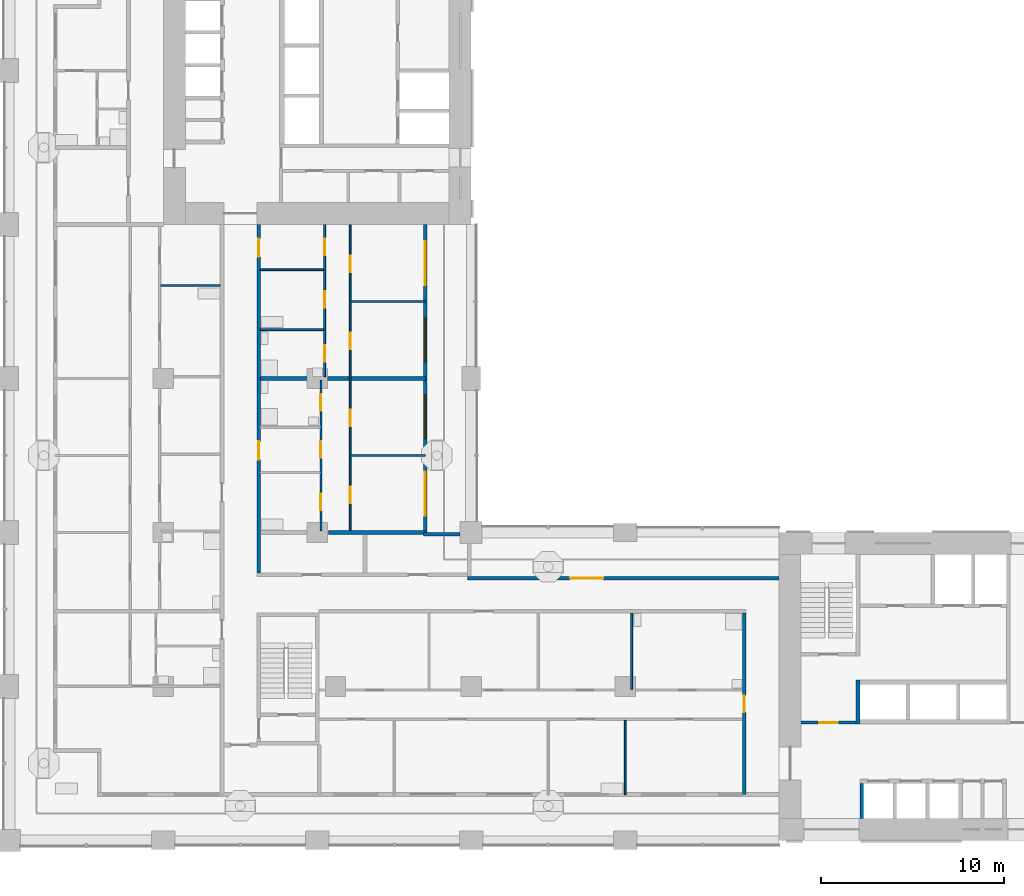
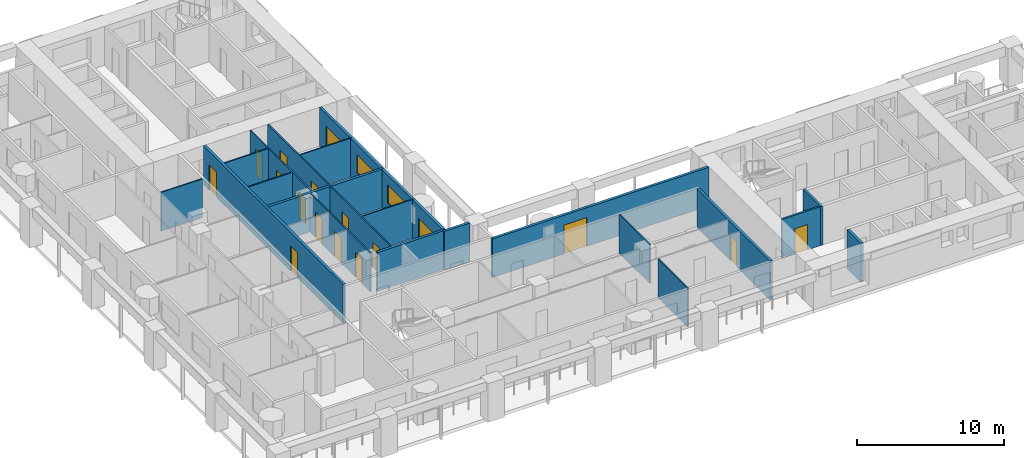
# One storey, part 4 of 18: 20 walls, 17 doors, 2 windows, 19 openings.
"""IFC4 building model written with IfcOpenShell, lengths in metres."""

import ifcopenshell
import ifcopenshell.guid

model = None  # the IFC model being written
_history = None  # IfcOwnerHistory: only IFC2X3 demands one
_inside = {}  # id of a spatial element -> (the spatial element, [elements in it])
_under = {}  # id of a project, library or spatial element -> (it, [spatial elements below it])
_declared = {}  # id of a project -> (the project, [libraries it declares])
_typed = {}  # id of a type object -> (the type object, [elements of that type])
_made_of = {}  # id of a material, layer set ... -> (it, [elements and type objects made of it])


def new_model(schema):
    """Start an empty IFC model of exactly this schema.

    Asked for "IFC4X3", IfcOpenShell would pick the latest addendum, in which some entities
    have other attributes; the version numbers below select the first issue.
    IFC2X3 requires an IfcOwnerHistory on every rooted entity: one is made here for all.
    """
    global model, _history
    if schema == "IFC4X3":
        model = ifcopenshell.file(schema_version=(4, 3, 0, 0))
    else:
        model = ifcopenshell.file(schema=schema)
    _inside.clear()
    _under.clear()
    _declared.clear()
    _typed.clear()
    _made_of.clear()
    _history = None
    if model.schema == "IFC2X3":
        org = make("IfcOrganization", Name="unknown")
        user = make(
            "IfcPersonAndOrganization",
            ThePerson=make("IfcPerson", FamilyName="unknown"),
            TheOrganization=org,
        )
        app = make(
            "IfcApplication",
            ApplicationDeveloper=org,
            Version="unknown",
            ApplicationFullName="unknown",
            ApplicationIdentifier="unknown",
        )
        _history = make(
            "IfcOwnerHistory",
            OwningUser=user,
            OwningApplication=app,
            ChangeAction="ADDED",
            CreationDate=0,
        )
    return model


def make(cls, **values):
    """One entity of the class cls with the attributes given. An attribute that is None is left unset."""
    return model.create_entity(
        cls, **{name: value for name, value in values.items() if value is not None}
    )


def rooted(cls, **values):
    """An entity with a GlobalId (a new one), such as an element, a storey or a relation."""
    return make(cls, GlobalId=ifcopenshell.guid.new(), OwnerHistory=_history, **values)


def si_unit(unit_type, name, prefix=None):
    """IfcSIUnit, for example si_unit("LENGTHUNIT", "METRE", prefix="MILLI")."""
    return make("IfcSIUnit", UnitType=unit_type, Prefix=prefix, Name=name)


def assignment(units):
    """IfcUnitAssignment: the units of a project."""
    return None if units is None else make("IfcUnitAssignment", Units=units)


def point(xyz):
    """IfcCartesianPoint."""
    return None if xyz is None else make("IfcCartesianPoint", Coordinates=xyz)


def direction(xyz):
    """IfcDirection."""
    return None if xyz is None else make("IfcDirection", DirectionRatios=xyz)


def frame(location, z_axis=None, x_axis=None):
    """IfcAxis2Placement3D, a coordinate frame: its origin and axes. An axis left out is left unset."""
    return make(
        "IfcAxis2Placement3D",
        Location=point(location),
        Axis=direction(z_axis),
        RefDirection=direction(x_axis),
    )


def frame_2d(location, x_axis=None):
    """IfcAxis2Placement2D, a coordinate frame in the plane: its origin and x axis."""
    return make(
        "IfcAxis2Placement2D", Location=point(location), RefDirection=direction(x_axis)
    )


def origin():
    """The frame at (0, 0, 0) with its axes left unset."""
    return frame((0.0, 0.0, 0.0))


def place(relative_to, where):
    """IfcLocalPlacement: puts the frame where relative to a parent placement (None: the world)."""
    return make(
        "IfcLocalPlacement", PlacementRelTo=relative_to, RelativePlacement=where
    )


def context(
    kind, dimensions, precision=None, world=None, true_north=None, identifier=None
):
    """IfcGeometricRepresentationContext, for example the 3D "Model" context."""
    return make(
        "IfcGeometricRepresentationContext",
        ContextIdentifier=identifier,
        ContextType=kind,
        CoordinateSpaceDimension=dimensions,
        Precision=precision,
        WorldCoordinateSystem=world,
        TrueNorth=true_north,
    )


def subcontext(parent, identifier, kind, view, scale=None):
    """IfcGeometricRepresentationSubContext, for example "Body" below "Model"."""
    return make(
        "IfcGeometricRepresentationSubContext",
        ContextIdentifier=identifier,
        ContextType=kind,
        ParentContext=parent,
        TargetScale=scale,
        TargetView=view,
    )


def project(units=None, contexts=None):
    """IfcProject with its units and contexts."""
    return rooted(
        "IfcProject",
        Name="project",
        RepresentationContexts=contexts,
        UnitsInContext=assignment(units),
    )


def spatial(cls, under=None, at=None, **own):
    """A site, building, storey or space (cls), placed at a placement, below another one or the project."""
    s = rooted(cls, ObjectPlacement=at, **own)
    if under is not None:
        _under.setdefault(under.id(), (under, []))[1].append(s)
    return s


def profile(cls, at=None, kind="AREA", **sizes):
    """A parametric profile (cls). Its sizes go by their IFC names, for example OverallWidth=200.0."""
    return make(cls, ProfileType=kind, Position=at, **sizes)


def rectangle(**sizes):
    """IfcRectangleProfileDef."""
    return profile("IfcRectangleProfileDef", **sizes)


def extrude(swept, where, along, depth):
    """IfcExtrudedAreaSolid: the profile swept, set in the frame where, extruded along a direction by depth."""
    return make(
        "IfcExtrudedAreaSolid",
        SweptArea=swept,
        Position=where,
        ExtrudedDirection=direction(along),
        Depth=depth,
    )


def shape(context_of_items, identifier, shape_type, items):
    """IfcShapeRepresentation: the items that make up one representation, for example the "Body"."""
    return make(
        "IfcShapeRepresentation",
        ContextOfItems=context_of_items,
        RepresentationIdentifier=identifier,
        RepresentationType=shape_type,
        Items=items,
    )


def material(Name=None, Category=None):
    """IfcMaterial."""
    return make("IfcMaterial", Name=Name, Category=Category)


def layer(
    of_material, thickness, ventilated=None, Name=None, Category=None, Priority=None
):
    """IfcMaterialLayer: one layer of a wall or slab, of a material (None: an air gap)."""
    return make(
        "IfcMaterialLayer",
        Material=of_material,
        LayerThickness=thickness,
        IsVentilated=ventilated,
        Name=Name,
        Category=Category,
        Priority=Priority,
    )


def layer_set(layers, Name=None):
    """IfcMaterialLayerSet."""
    return make("IfcMaterialLayerSet", MaterialLayers=layers, LayerSetName=Name)


def made_of(thing, what):
    """Note that an element or type object is made of a material, layer set ...; save() writes the relation."""
    if what is not None:
        _made_of.setdefault(what.id(), (what, []))[1].append(thing)
    return thing


def type_object(cls, material=None, **own):
    """A type object (cls), such as IfcWallType, which elements share."""
    return made_of(rooted(cls, **own), material)


def element(
    cls,
    number,
    at=None,
    inside=None,
    cuts=None,
    type_object=None,
    material=None,
    context=None,
    identifier="Body",
    shape_type=None,
    held_by="IfcProductDefinitionShape",
    body=None,
    shapes=None,
    **own,
):
    """One element of the class cls, such as IfcWall. Its Tag is "e" and its number.

    at: its placement. inside: the storey or other place that contains it. cuts: it is an
    opening in that element (IfcRelVoidsElement). A single representation is given by context,
    identifier, shape_type and body (its items); several are given by shapes. held_by: the class
    of the entity that holds the representations. save() writes the other relations.
    """
    e = rooted(cls, Tag="e%d" % number, ObjectPlacement=at, **own)
    if body is not None:
        shapes = [shape(context, identifier, shape_type, body)]
    if shapes is not None:
        e.Representation = make(held_by, Representations=shapes)
    if inside is not None:
        _inside.setdefault(inside.id(), (inside, []))[1].append(e)
    if cuts is not None:
        rooted(
            "IfcRelVoidsElement", RelatingBuildingElement=cuts, RelatedOpeningElement=e
        )
    if type_object is not None:
        _typed.setdefault(type_object.id(), (type_object, []))[1].append(e)
    return made_of(e, material)


def fill(opening, filler):
    """IfcRelFillsElement: the door or window that sits in an opening."""
    return rooted(
        "IfcRelFillsElement",
        RelatingOpeningElement=opening,
        RelatedBuildingElement=filler,
    )


def aggregate(whole, parts):
    """IfcRelAggregates: a whole, such as a stair, and the parts it consists of."""
    return rooted("IfcRelAggregates", RelatingObject=whole, RelatedObjects=parts)


def save(model, path):
    """Write the relations noted so far, then the file.

    IfcRelAggregates (storeys below a building ...), IfcRelContainedInSpatialStructure (elements
    in a storey), IfcRelDefinesByType, IfcRelAssociatesMaterial and IfcRelDeclares: one each for
    every whole, place, type object, material and project.
    """
    for whole, parts in _under.values():
        aggregate(whole, parts)
    for where, things in _inside.values():
        rooted(
            "IfcRelContainedInSpatialStructure",
            RelatedElements=things,
            RelatingStructure=where,
        )
    for kind, things in _typed.values():
        rooted("IfcRelDefinesByType", RelatedObjects=things, RelatingType=kind)
    for what, things in _made_of.values():
        rooted("IfcRelAssociatesMaterial", RelatedObjects=things, RelatingMaterial=what)
    for by, libraries in _declared.values():
        rooted("IfcRelDeclares", RelatingContext=by, RelatedDefinitions=libraries)
    model.write(path)


model = new_model("IFC4")

# Units and contexts
model_context = context("Model", 3, precision=1e-05, world=origin(), true_north=direction((0.0, 1.0)))
body_context = subcontext(model_context, "Body", "Model", "MODEL_VIEW")
ifc_project = project(units=[si_unit("LENGTHUNIT", "METRE"), si_unit("AREAUNIT", "SQUARE_METRE"), si_unit("VOLUMEUNIT", "CUBIC_METRE"), si_unit("PLANEANGLEUNIT", "RADIAN"), si_unit("MASSUNIT", "GRAM", prefix="KILO")], contexts=[model_context])

# Site, building, storey
site_placement = place(None, origin())
site = spatial("IfcSite", under=ifc_project, at=site_placement, CompositionType="ELEMENT")
building_placement = place(site_placement, origin())
building = spatial("IfcBuilding", under=site, at=building_placement, Name="Vermilion Gate Residences", CompositionType="ELEMENT")
storey_placement = place(building_placement, frame((0.0, 0.0, 81.199951171875)))
storey = spatial("IfcBuildingStorey", under=building, at=storey_placement, Name="L19", CompositionType="ELEMENT", Elevation=81.199951171875)

# Wall, opening, door
ifc_material_1 = material(Name="Masonry blockwork", Category="masonry")
ifc_layer_1 = layer(ifc_material_1, 0.14990234375)
ifc_layer_set_1 = layer_set([ifc_layer_1], Name="BLOCKWORK PARTITION 150 EI 120")
wall_type_1 = type_object("IfcWallType", Name="BLOCKWORK PARTITION 150 EI 120", PredefinedType="PARTITIONING", material=ifc_layer_set_1)
wall_1_placement = place(storey_placement, frame((43.199951171875, 14.824951171875, 0.0), z_axis=(0.0, 0.0, 1.0), x_axis=(1.0, 0.0, 0.0)))
wall_1 = element("IfcWall", 1, at=wall_1_placement, inside=storey, type_object=wall_type_1, Name="Core room partition A19-VW-S", PredefinedType="PARTITIONING", context=body_context, shape_type="SweptSolid", body=[
    extrude(rectangle(XDim=3.0, YDim=0.14990234375, at=frame_2d((1.5, 0.0))), origin(), (0.0, 0.0, 1.0), 3.219970703125),
])
opening_1_placement = place(wall_1_placement, frame((1.0, 0.0, 0.0)))
opening_1 = element("IfcOpeningElement", 2, at=opening_1_placement, cuts=wall_1, Name="Opening DK19011", PredefinedType="OPENING", context=body_context, shape_type="SweptSolid", body=[
    extrude(rectangle(XDim=1.0, YDim=2.10009765625, at=frame_2d((0.5, 1.050048828125))), frame((0.0, 0.0849609375, 0.0), z_axis=(0.0, -1.0, 0.0), x_axis=(1.0, 0.0, 0.0)), (0.0, 0.0, 1.0), 0.169921875),
])
ifc_material_2 = material(Name="Steel", Category="steel")
door_type_1 = type_object("IfcDoorType", Name="FIRE DOOR FD60 1000 X 2100", OperationType="SINGLE_SWING_LEFT", PredefinedType="DOOR", material=ifc_material_2)
door_1_placement = place(opening_1_placement, frame((1.0, 0.0, 0.0), z_axis=(0.0, 0.0, 1.0), x_axis=(-1.0, 0.0, 0.0)))
door_1 = element("IfcDoor", 3, at=door_1_placement, inside=storey, type_object=door_type_1, Name="Stair vestibule door A19", OperationType="SINGLE_SWING_RIGHT", OverallHeight=2.10009765625, OverallWidth=1.0, PredefinedType="DOOR", context=body_context, shape_type="SweptSolid", body=[
    extrude(rectangle(XDim=1.0, YDim=2.10009765625, at=frame_2d((0.5, 1.050048828125))), frame((0.0, 0.02490234375, 0.0), z_axis=(0.0, -1.0, 0.0), x_axis=(1.0, 0.0, 0.0)), (0.0, 0.0, 1.0), 0.050048828125),
])
fill(opening_1, door_1)

ifc_material_3 = material(Name="Insulated steel stud wall with terracotta rainscreen", Category="masonry")
ifc_layer_2 = layer(ifc_material_3, 0.199951171875)
ifc_layer_set_2 = layer_set([ifc_layer_2], Name="EXTERNAL WALL 200 TERRACOTTA RAINSCREEN")
wall_type_2 = type_object("IfcWallType", Name="EXTERNAL WALL 200 TERRACOTTA RAINSCREEN", PredefinedType="SOLIDWALL", material=ifc_layer_set_2)
wall_2_placement = place(storey_placement, frame((42.0, 22.699951171875, 0.0), z_axis=(0.0, 0.0, 1.0), x_axis=(-1.0, 0.0, 0.0)))
wall_2 = element("IfcWall", 4, at=wall_2_placement, inside=storey, type_object=wall_type_2, Name="External wall", PredefinedType="SOLIDWALL", context=body_context, shape_type="SweptSolid", body=[
    extrude(rectangle(XDim=17.0, YDim=0.199951171875, at=frame_2d((8.5, 0.0))), origin(), (0.0, 0.0, 1.0), 3.219970703125),
])
opening_2_placement = place(wall_2_placement, frame((9.60009765625, 0.0, 0.0)))
opening_2 = element("IfcOpeningElement", 5, at=opening_2_placement, cuts=wall_2, Name="Opening DE19029", PredefinedType="OPENING", context=body_context, shape_type="SweptSolid", body=[
    extrude(rectangle(XDim=1.800048828125, YDim=2.39990234375, at=frame_2d((0.89990234375, 1.199951171875))), frame((0.0, 0.10986328125, 0.0), z_axis=(0.0, -1.0, 0.0), x_axis=(1.0, 0.0, 0.0)), (0.0, 0.0, 1.0), 0.219970703125),
])
ifc_material_4 = material(Name="Aluminium and clear glass", Category="aluminium")
door_type_2 = type_object("IfcDoorType", Name="GLAZED EXTERNAL DOOR 1800 X 2400", OperationType="DOUBLE_DOOR_SINGLE_SWING", PredefinedType="DOOR", material=ifc_material_4)
door_2_placement = place(opening_2_placement, frame((1.800048828125, 0.0, 0.0), z_axis=(0.0, 0.0, 1.0), x_axis=(-1.0, 0.0, 0.0)))
door_2 = element("IfcDoor", 6, at=door_2_placement, inside=storey, type_object=door_type_2, Name="Gallery door", OperationType="DOUBLE_DOOR_SINGLE_SWING", OverallHeight=2.39990234375, OverallWidth=1.800048828125, PredefinedType="DOOR", context=body_context, shape_type="SweptSolid", body=[
    extrude(rectangle(XDim=1.800048828125, YDim=2.39990234375, at=frame_2d((0.89990234375, 1.199951171875))), frame((0.0, 0.02490234375, 0.0), z_axis=(0.0, -1.0, 0.0), x_axis=(1.0, 0.0, 0.0)), (0.0, 0.0, 1.0), 0.050048828125),
])
fill(opening_2, door_2)

# Wall
wall_3_placement = place(storey_placement, frame((24.60009765625, 25.10009765625, 0.0), z_axis=(0.0, 0.0, 1.0), x_axis=(-1.0, 0.0, 0.0)))
element("IfcWall", 7, at=wall_3_placement, inside=storey, type_object=wall_type_2, Name="External wall", PredefinedType="SOLIDWALL", context=body_context, shape_type="SweptSolid", body=[
    extrude(rectangle(XDim=2.0, YDim=0.199951171875, at=frame_2d((1.0, 0.0))), origin(), (0.0, 0.0, 1.0), 3.219970703125),
])

# Wall, openings, doors, windows
wall_4_placement = place(storey_placement, frame((22.699951171875, 25.199951171875, 0.0), z_axis=(0.0, 0.0, 1.0), x_axis=(0.0, 1.0, 0.0)))
wall_4 = element("IfcWall", 8, at=wall_4_placement, inside=storey, type_object=wall_type_2, Name="External wall", PredefinedType="SOLIDWALL", context=body_context, shape_type="SweptSolid", body=[
    extrude(rectangle(XDim=16.800048828125, YDim=0.199951171875, at=frame_2d((8.39990234375, 0.0))), origin(), (0.0, 0.0, 1.0), 3.219970703125),
])
opening_3_placement = place(wall_4_placement, frame((0.89990234375, 0.0, 0.0)))
opening_3 = element("IfcOpeningElement", 9, at=opening_3_placement, cuts=wall_4, Name="Opening DE19024", PredefinedType="OPENING", context=body_context, shape_type="SweptSolid", body=[
    extrude(rectangle(XDim=2.39990234375, YDim=2.199951171875, at=frame_2d((1.199951171875, 1.10009765625))), frame((0.0, 0.10986328125, 0.0), z_axis=(0.0, -1.0, 0.0), x_axis=(1.0, 0.0, 0.0)), (0.0, 0.0, 1.0), 0.219970703125),
])
opening_4_placement = place(wall_4_placement, frame((5.10009765625, 0.0, 0.89990234375)))
opening_4 = element("IfcOpeningElement", 10, at=opening_4_placement, cuts=wall_4, Name="Opening WE19025", PredefinedType="OPENING", context=body_context, shape_type="SweptSolid", body=[
    extrude(rectangle(XDim=2.39990234375, YDim=1.5, at=frame_2d((1.199951171875, 0.75))), frame((0.0, 0.10986328125, 0.0), z_axis=(0.0, -1.0, 0.0), x_axis=(1.0, 0.0, 0.0)), (0.0, 0.0, 1.0), 0.219970703125),
])
opening_5_placement = place(wall_4_placement, frame((9.300048828125, 0.0, 0.89990234375)))
opening_5 = element("IfcOpeningElement", 11, at=opening_5_placement, cuts=wall_4, Name="Opening WE19026", PredefinedType="OPENING", context=body_context, shape_type="SweptSolid", body=[
    extrude(rectangle(XDim=2.39990234375, YDim=1.5, at=frame_2d((1.199951171875, 0.75))), frame((0.0, 0.10986328125, 0.0), z_axis=(0.0, -1.0, 0.0), x_axis=(1.0, 0.0, 0.0)), (0.0, 0.0, 1.0), 0.219970703125),
])
opening_6_placement = place(wall_4_placement, frame((13.5, 0.0, 0.0)))
opening_6 = element("IfcOpeningElement", 12, at=opening_6_placement, cuts=wall_4, Name="Opening DE19027", PredefinedType="OPENING", context=body_context, shape_type="SweptSolid", body=[
    extrude(rectangle(XDim=2.39990234375, YDim=2.199951171875, at=frame_2d((1.199951171875, 1.10009765625))), frame((0.0, 0.10986328125, 0.0), z_axis=(0.0, -1.0, 0.0), x_axis=(1.0, 0.0, 0.0)), (0.0, 0.0, 1.0), 0.219970703125),
])
ifc_material_5 = material(Name="Aluminium and clear glass", Category="aluminium")
door_type_3 = type_object("IfcDoorType", Name="SLIDING GLAZED DOOR 2400 X 2200", OperationType="DOUBLE_DOOR_SLIDING", PredefinedType="DOOR", material=ifc_material_5)
door_3_placement = place(opening_3_placement, origin())
door_3 = element("IfcDoor", 13, at=door_3_placement, inside=storey, type_object=door_type_3, Name="Loggia sliding door", OperationType="DOUBLE_DOOR_SLIDING", OverallHeight=2.199951171875, OverallWidth=2.39990234375, PredefinedType="DOOR", context=body_context, shape_type="SweptSolid", body=[
    extrude(rectangle(XDim=2.39990234375, YDim=2.199951171875, at=frame_2d((1.199951171875, 1.10009765625))), frame((0.0, 0.02490234375, 0.0), z_axis=(0.0, -1.0, 0.0), x_axis=(1.0, 0.0, 0.0)), (0.0, 0.0, 1.0), 0.050048828125),
])
fill(opening_3, door_3)
door_4_placement = place(opening_6_placement, origin())
door_4 = element("IfcDoor", 14, at=door_4_placement, inside=storey, type_object=door_type_3, Name="Loggia sliding door", OperationType="DOUBLE_DOOR_SLIDING", OverallHeight=2.199951171875, OverallWidth=2.39990234375, PredefinedType="DOOR", context=body_context, shape_type="SweptSolid", body=[
    extrude(rectangle(XDim=2.39990234375, YDim=2.199951171875, at=frame_2d((1.199951171875, 1.10009765625))), frame((0.0, 0.02490234375, 0.0), z_axis=(0.0, -1.0, 0.0), x_axis=(1.0, 0.0, 0.0)), (0.0, 0.0, 1.0), 0.050048828125),
])
fill(opening_6, door_4)
ifc_material_6 = material(Name="Aluminium and clear glass", Category="aluminium")
window_type = type_object("IfcWindowType", Name="WINDOW 2400 X 1500", PartitioningType="SINGLE_PANEL", PredefinedType="WINDOW", material=ifc_material_6)
window_1_placement = place(opening_4_placement, origin())
window_1 = element("IfcWindow", 15, at=window_1_placement, inside=storey, type_object=window_type, Name="Window", OverallHeight=1.5, OverallWidth=2.39990234375, PartitioningType="SINGLE_PANEL", PredefinedType="WINDOW", context=body_context, shape_type="SweptSolid", body=[
    extrude(rectangle(XDim=2.39990234375, YDim=1.5, at=frame_2d((1.199951171875, 0.75))), frame((0.0, 0.030029296875, 0.0), z_axis=(0.0, -1.0, 0.0), x_axis=(1.0, 0.0, 0.0)), (0.0, 0.0, 1.0), 0.06005859375),
])
fill(opening_4, window_1)
window_2_placement = place(opening_5_placement, origin())
window_2 = element("IfcWindow", 16, at=window_2_placement, inside=storey, type_object=window_type, Name="Window", OverallHeight=1.5, OverallWidth=2.39990234375, PartitioningType="SINGLE_PANEL", PredefinedType="WINDOW", context=body_context, shape_type="SweptSolid", body=[
    extrude(rectangle(XDim=2.39990234375, YDim=1.5, at=frame_2d((1.199951171875, 0.75))), frame((0.0, 0.030029296875, 0.0), z_axis=(0.0, -1.0, 0.0), x_axis=(1.0, 0.0, 0.0)), (0.0, 0.0, 1.0), 0.06005859375),
])
fill(opening_5, window_2)

# Walls
ifc_material_7 = material(Name="Plasterboard on steel studs", Category="steel")
ifc_layer_3 = layer(ifc_material_7, 0.10009765625)
ifc_layer_set_3 = layer_set([ifc_layer_3], Name="PARTITION 100")
wall_type_3 = type_object("IfcWallType", Name="PARTITION 100", PredefinedType="PARTITIONING", material=ifc_layer_set_3)
wall_5_placement = place(storey_placement, frame((18.64990234375, 29.39990234375, 0.0), z_axis=(0.0, 0.0, 1.0), x_axis=(1.0, 0.0, 0.0)))
element("IfcWall", 17, at=wall_5_placement, inside=storey, type_object=wall_type_3, Name="Partition", PredefinedType="PARTITIONING", context=body_context, shape_type="SweptSolid", body=[
    extrude(rectangle(XDim=4.050048828125, YDim=0.10009765625, at=frame_2d((2.02490234375, 0.0))), origin(), (0.0, 0.0, 1.0), 3.219970703125),
])
wall_6_placement = place(storey_placement, frame((13.699951171875, 36.26708984375, 0.0), z_axis=(0.0, 0.0, 1.0), x_axis=(1.0, 0.0, 0.0)))
element("IfcWall", 18, at=wall_6_placement, inside=storey, type_object=wall_type_3, Name="Partition", PredefinedType="PARTITIONING", context=body_context, shape_type="SweptSolid", body=[
    extrude(rectangle(XDim=3.449951171875, YDim=0.10009765625, at=frame_2d((1.72509765625, 0.0))), origin(), (0.0, 0.0, 1.0), 3.219970703125),
])
wall_7_placement = place(storey_placement, frame((18.64990234375, 37.800048828125, 0.0), z_axis=(0.0, 0.0, 1.0), x_axis=(1.0, 0.0, 0.0)))
element("IfcWall", 19, at=wall_7_placement, inside=storey, type_object=wall_type_3, Name="Partition", PredefinedType="PARTITIONING", context=body_context, shape_type="SweptSolid", body=[
    extrude(rectangle(XDim=4.050048828125, YDim=0.10009765625, at=frame_2d((2.02490234375, 0.0))), origin(), (0.0, 0.0, 1.0), 3.219970703125),
])
wall_8_placement = place(storey_placement, frame((8.25, 38.669921875, 0.0), z_axis=(0.0, 0.0, 1.0), x_axis=(1.0, 0.0, 0.0)))
element("IfcWall", 20, at=wall_8_placement, inside=storey, type_object=wall_type_3, Name="Partition", PredefinedType="PARTITIONING", context=body_context, shape_type="SweptSolid", body=[
    extrude(rectangle(XDim=3.25, YDim=0.10009765625, at=frame_2d((1.625, 0.0))), origin(), (0.0, 0.0, 1.0), 3.219970703125),
])
wall_9_placement = place(storey_placement, frame((13.699951171875, 39.532958984375, 0.0), z_axis=(0.0, 0.0, 1.0), x_axis=(1.0, 0.0, 0.0)))
element("IfcWall", 21, at=wall_9_placement, inside=storey, type_object=wall_type_3, Name="Partition", PredefinedType="PARTITIONING", context=body_context, shape_type="SweptSolid", body=[
    extrude(rectangle(XDim=3.449951171875, YDim=0.10009765625, at=frame_2d((1.72509765625, 0.0))), origin(), (0.0, 0.0, 1.0), 3.219970703125),
])

# Wall, openings, doors
wall_10_placement = place(storey_placement, frame((17.0, 25.300048828125, 0.0), z_axis=(0.0, 0.0, 1.0), x_axis=(0.0, 1.0, 0.0)))
wall_10 = element("IfcWall", 22, at=wall_10_placement, inside=storey, type_object=wall_type_3, Name="Partition", PredefinedType="PARTITIONING", context=body_context, shape_type="SweptSolid", body=[
    extrude(rectangle(XDim=8.199951171875, YDim=0.10009765625, at=frame_2d((4.10009765625, 0.0))), origin(), (0.0, 0.0, 1.0), 3.219970703125),
])
opening_7_placement = place(wall_10_placement, frame((3.967041015625, 0.0, 0.0)))
opening_7 = element("IfcOpeningElement", 23, at=opening_7_placement, cuts=wall_10, Name="Opening DA19035", PredefinedType="OPENING", context=body_context, shape_type="SweptSolid", body=[
    extrude(rectangle(XDim=0.89990234375, YDim=2.10009765625, at=frame_2d((0.449951171875, 1.050048828125))), frame((0.0, 0.06005859375, 0.0), z_axis=(0.0, -1.0, 0.0), x_axis=(1.0, 0.0, 0.0)), (0.0, 0.0, 1.0), 0.1201171875),
])
opening_8_placement = place(wall_10_placement, frame((1.10009765625, 0.0, 0.0)))
opening_8 = element("IfcOpeningElement", 24, at=opening_8_placement, cuts=wall_10, Name="Opening DA19036", PredefinedType="OPENING", context=body_context, shape_type="SweptSolid", body=[
    extrude(rectangle(XDim=0.89990234375, YDim=2.10009765625, at=frame_2d((0.449951171875, 1.050048828125))), frame((0.0, 0.06005859375, 0.0), z_axis=(0.0, -1.0, 0.0), x_axis=(1.0, 0.0, 0.0)), (0.0, 0.0, 1.0), 0.1201171875),
])
opening_9_placement = place(wall_10_placement, frame((6.532958984375, 0.0, 0.0)))
opening_9 = element("IfcOpeningElement", 25, at=opening_9_placement, cuts=wall_10, Name="Opening DA19037", PredefinedType="OPENING", context=body_context, shape_type="SweptSolid", body=[
    extrude(rectangle(XDim=0.89990234375, YDim=2.10009765625, at=frame_2d((0.449951171875, 1.050048828125))), frame((0.0, 0.06005859375, 0.0), z_axis=(0.0, -1.0, 0.0), x_axis=(1.0, 0.0, 0.0)), (0.0, 0.0, 1.0), 0.1201171875),
])
ifc_material_8 = material(Name="Timber", Category="wood")
door_type_4 = type_object("IfcDoorType", Name="INTERIOR DOOR 900 X 2100", OperationType="SINGLE_SWING_LEFT", PredefinedType="DOOR", material=ifc_material_8)
door_5_placement = place(opening_7_placement, origin())
door_5 = element("IfcDoor", 26, at=door_5_placement, inside=storey, type_object=door_type_4, Name="Interior door", OperationType="SINGLE_SWING_RIGHT", OverallHeight=2.10009765625, OverallWidth=0.89990234375, PredefinedType="DOOR", context=body_context, shape_type="SweptSolid", body=[
    extrude(rectangle(XDim=0.89990234375, YDim=2.10009765625, at=frame_2d((0.449951171875, 1.050048828125))), frame((0.0, 0.02490234375, 0.0), z_axis=(0.0, -1.0, 0.0), x_axis=(1.0, 0.0, 0.0)), (0.0, 0.0, 1.0), 0.050048828125),
])
fill(opening_7, door_5)
door_6_placement = place(opening_8_placement, origin())
door_6 = element("IfcDoor", 27, at=door_6_placement, inside=storey, type_object=door_type_4, Name="Interior door", OperationType="SINGLE_SWING_LEFT", OverallHeight=2.10009765625, OverallWidth=0.89990234375, PredefinedType="DOOR", context=body_context, shape_type="SweptSolid", body=[
    extrude(rectangle(XDim=0.89990234375, YDim=2.10009765625, at=frame_2d((0.449951171875, 1.050048828125))), frame((0.0, 0.02490234375, 0.0), z_axis=(0.0, -1.0, 0.0), x_axis=(1.0, 0.0, 0.0)), (0.0, 0.0, 1.0), 0.050048828125),
])
fill(opening_8, door_6)
door_7_placement = place(opening_9_placement, origin())
door_7 = element("IfcDoor", 28, at=door_7_placement, inside=storey, type_object=door_type_4, Name="Interior door", OperationType="SINGLE_SWING_RIGHT", OverallHeight=2.10009765625, OverallWidth=0.89990234375, PredefinedType="DOOR", context=body_context, shape_type="SweptSolid", body=[
    extrude(rectangle(XDim=0.89990234375, YDim=2.10009765625, at=frame_2d((0.449951171875, 1.050048828125))), frame((0.0, 0.02490234375, 0.0), z_axis=(0.0, -1.0, 0.0), x_axis=(1.0, 0.0, 0.0)), (0.0, 0.0, 1.0), 0.050048828125),
])
fill(opening_9, door_7)

wall_11_placement = place(storey_placement, frame((17.199951171875, 33.699951171875, 0.0), z_axis=(0.0, 0.0, 1.0), x_axis=(0.0, 1.0, 0.0)))
wall_11 = element("IfcWall", 29, at=wall_11_placement, inside=storey, type_object=wall_type_3, Name="Partition", PredefinedType="PARTITIONING", context=body_context, shape_type="SweptSolid", body=[
    extrude(rectangle(XDim=8.300048828125, YDim=0.10009765625, at=frame_2d((4.14990234375, 0.0))), origin(), (0.0, 0.0, 1.0), 3.219970703125),
])
opening_10_placement = place(wall_11_placement, frame((6.633056640625, 0.0, 0.0)))
opening_10 = element("IfcOpeningElement", 30, at=opening_10_placement, cuts=wall_11, Name="Opening DA19038", PredefinedType="OPENING", context=body_context, shape_type="SweptSolid", body=[
    extrude(rectangle(XDim=0.89990234375, YDim=2.10009765625, at=frame_2d((0.449951171875, 1.050048828125))), frame((0.0, 0.06005859375, 0.0), z_axis=(0.0, -1.0, 0.0), x_axis=(1.0, 0.0, 0.0)), (0.0, 0.0, 1.0), 0.1201171875),
])
opening_11_placement = place(wall_11_placement, frame((0.800048828125, 0.0, 0.0)))
opening_11 = element("IfcOpeningElement", 31, at=opening_11_placement, cuts=wall_11, Name="Opening DA19039", PredefinedType="OPENING", context=body_context, shape_type="SweptSolid", body=[
    extrude(rectangle(XDim=0.89990234375, YDim=2.10009765625, at=frame_2d((0.449951171875, 1.050048828125))), frame((0.0, 0.06005859375, 0.0), z_axis=(0.0, -1.0, 0.0), x_axis=(1.0, 0.0, 0.0)), (0.0, 0.0, 1.0), 0.1201171875),
])
opening_12_placement = place(wall_11_placement, frame((3.76708984375, 0.0, 0.0)))
opening_12 = element("IfcOpeningElement", 32, at=opening_12_placement, cuts=wall_11, Name="Opening DA19040", PredefinedType="OPENING", context=body_context, shape_type="SweptSolid", body=[
    extrude(rectangle(XDim=0.89990234375, YDim=2.10009765625, at=frame_2d((0.449951171875, 1.050048828125))), frame((0.0, 0.06005859375, 0.0), z_axis=(0.0, -1.0, 0.0), x_axis=(1.0, 0.0, 0.0)), (0.0, 0.0, 1.0), 0.1201171875),
])
door_8_placement = place(opening_10_placement, origin())
door_8 = element("IfcDoor", 33, at=door_8_placement, inside=storey, type_object=door_type_4, Name="Interior door", OperationType="SINGLE_SWING_LEFT", OverallHeight=2.10009765625, OverallWidth=0.89990234375, PredefinedType="DOOR", context=body_context, shape_type="SweptSolid", body=[
    extrude(rectangle(XDim=0.89990234375, YDim=2.10009765625, at=frame_2d((0.449951171875, 1.050048828125))), frame((0.0, 0.02490234375, 0.0), z_axis=(0.0, -1.0, 0.0), x_axis=(1.0, 0.0, 0.0)), (0.0, 0.0, 1.0), 0.050048828125),
])
fill(opening_10, door_8)
door_9_placement = place(opening_11_placement, origin())
door_9 = element("IfcDoor", 34, at=door_9_placement, inside=storey, type_object=door_type_4, Name="Interior door", OperationType="SINGLE_SWING_LEFT", OverallHeight=2.10009765625, OverallWidth=0.89990234375, PredefinedType="DOOR", context=body_context, shape_type="SweptSolid", body=[
    extrude(rectangle(XDim=0.89990234375, YDim=2.10009765625, at=frame_2d((0.449951171875, 1.050048828125))), frame((0.0, 0.02490234375, 0.0), z_axis=(0.0, -1.0, 0.0), x_axis=(1.0, 0.0, 0.0)), (0.0, 0.0, 1.0), 0.050048828125),
])
fill(opening_11, door_9)
door_10_placement = place(opening_12_placement, origin())
door_10 = element("IfcDoor", 35, at=door_10_placement, inside=storey, type_object=door_type_4, Name="Interior door", OperationType="SINGLE_SWING_RIGHT", OverallHeight=2.10009765625, OverallWidth=0.89990234375, PredefinedType="DOOR", context=body_context, shape_type="SweptSolid", body=[
    extrude(rectangle(XDim=0.89990234375, YDim=2.10009765625, at=frame_2d((0.449951171875, 1.050048828125))), frame((0.0, 0.02490234375, 0.0), z_axis=(0.0, -1.0, 0.0), x_axis=(1.0, 0.0, 0.0)), (0.0, 0.0, 1.0), 0.050048828125),
])
fill(opening_12, door_10)

wall_12_placement = place(storey_placement, frame((18.60009765625, 25.300048828125, 0.0), z_axis=(0.0, 0.0, 1.0), x_axis=(0.0, 1.0, 0.0)))
wall_12 = element("IfcWall", 36, at=wall_12_placement, inside=storey, type_object=wall_type_3, Name="Partition", PredefinedType="PARTITIONING", context=body_context, shape_type="SweptSolid", body=[
    extrude(rectangle(XDim=16.699951171875, YDim=0.10009765625, at=frame_2d((8.35009765625, 0.0))), origin(), (0.0, 0.0, 1.0), 3.219970703125),
])
opening_13_placement = place(wall_12_placement, frame((1.5, 0.0, 0.0)))
opening_13 = element("IfcOpeningElement", 37, at=opening_13_placement, cuts=wall_12, Name="Opening DA19041", PredefinedType="OPENING", context=body_context, shape_type="SweptSolid", body=[
    extrude(rectangle(XDim=0.89990234375, YDim=2.10009765625, at=frame_2d((0.449951171875, 1.050048828125))), frame((0.0, 0.06005859375, 0.0), z_axis=(0.0, -1.0, 0.0), x_axis=(1.0, 0.0, 0.0)), (0.0, 0.0, 1.0), 0.1201171875),
])
opening_14_placement = place(wall_12_placement, frame((5.699951171875, 0.0, 0.0)))
opening_14 = element("IfcOpeningElement", 38, at=opening_14_placement, cuts=wall_12, Name="Opening DA19042", PredefinedType="OPENING", context=body_context, shape_type="SweptSolid", body=[
    extrude(rectangle(XDim=0.89990234375, YDim=2.10009765625, at=frame_2d((0.449951171875, 1.050048828125))), frame((0.0, 0.06005859375, 0.0), z_axis=(0.0, -1.0, 0.0), x_axis=(1.0, 0.0, 0.0)), (0.0, 0.0, 1.0), 0.1201171875),
])
opening_15_placement = place(wall_12_placement, frame((9.89990234375, 0.0, 0.0)))
opening_15 = element("IfcOpeningElement", 39, at=opening_15_placement, cuts=wall_12, Name="Opening DA19043", PredefinedType="OPENING", context=body_context, shape_type="SweptSolid", body=[
    extrude(rectangle(XDim=0.89990234375, YDim=2.10009765625, at=frame_2d((0.449951171875, 1.050048828125))), frame((0.0, 0.06005859375, 0.0), z_axis=(0.0, -1.0, 0.0), x_axis=(1.0, 0.0, 0.0)), (0.0, 0.0, 1.0), 0.1201171875),
])
opening_16_placement = place(wall_12_placement, frame((14.10009765625, 0.0, 0.0)))
opening_16 = element("IfcOpeningElement", 40, at=opening_16_placement, cuts=wall_12, Name="Opening DA19044", PredefinedType="OPENING", context=body_context, shape_type="SweptSolid", body=[
    extrude(rectangle(XDim=0.89990234375, YDim=2.10009765625, at=frame_2d((0.449951171875, 1.050048828125))), frame((0.0, 0.06005859375, 0.0), z_axis=(0.0, -1.0, 0.0), x_axis=(1.0, 0.0, 0.0)), (0.0, 0.0, 1.0), 0.1201171875),
])
door_11_placement = place(opening_13_placement, frame((0.89990234375, 0.0, 0.0), z_axis=(0.0, 0.0, 1.0), x_axis=(-1.0, 0.0, 0.0)))
door_11 = element("IfcDoor", 41, at=door_11_placement, inside=storey, type_object=door_type_4, Name="Interior door", OperationType="SINGLE_SWING_RIGHT", OverallHeight=2.10009765625, OverallWidth=0.89990234375, PredefinedType="DOOR", context=body_context, shape_type="SweptSolid", body=[
    extrude(rectangle(XDim=0.89990234375, YDim=2.10009765625, at=frame_2d((0.449951171875, 1.050048828125))), frame((0.0, 0.02490234375, 0.0), z_axis=(0.0, -1.0, 0.0), x_axis=(1.0, 0.0, 0.0)), (0.0, 0.0, 1.0), 0.050048828125),
])
fill(opening_13, door_11)
door_12_placement = place(opening_14_placement, frame((0.89990234375, 0.0, 0.0), z_axis=(0.0, 0.0, 1.0), x_axis=(-1.0, 0.0, 0.0)))
door_12 = element("IfcDoor", 42, at=door_12_placement, inside=storey, type_object=door_type_4, Name="Interior door", OperationType="SINGLE_SWING_RIGHT", OverallHeight=2.10009765625, OverallWidth=0.89990234375, PredefinedType="DOOR", context=body_context, shape_type="SweptSolid", body=[
    extrude(rectangle(XDim=0.89990234375, YDim=2.10009765625, at=frame_2d((0.449951171875, 1.050048828125))), frame((0.0, 0.02490234375, 0.0), z_axis=(0.0, -1.0, 0.0), x_axis=(1.0, 0.0, 0.0)), (0.0, 0.0, 1.0), 0.050048828125),
])
fill(opening_14, door_12)
door_13_placement = place(opening_15_placement, frame((0.89990234375, 0.0, 0.0), z_axis=(0.0, 0.0, 1.0), x_axis=(-1.0, 0.0, 0.0)))
door_13 = element("IfcDoor", 43, at=door_13_placement, inside=storey, type_object=door_type_4, Name="Interior door", OperationType="SINGLE_SWING_RIGHT", OverallHeight=2.10009765625, OverallWidth=0.89990234375, PredefinedType="DOOR", context=body_context, shape_type="SweptSolid", body=[
    extrude(rectangle(XDim=0.89990234375, YDim=2.10009765625, at=frame_2d((0.449951171875, 1.050048828125))), frame((0.0, 0.02490234375, 0.0), z_axis=(0.0, -1.0, 0.0), x_axis=(1.0, 0.0, 0.0)), (0.0, 0.0, 1.0), 0.050048828125),
])
fill(opening_15, door_13)
door_14_placement = place(opening_16_placement, frame((0.89990234375, 0.0, 0.0), z_axis=(0.0, 0.0, 1.0), x_axis=(-1.0, 0.0, 0.0)))
door_14 = element("IfcDoor", 44, at=door_14_placement, inside=storey, type_object=door_type_4, Name="Interior door", OperationType="SINGLE_SWING_RIGHT", OverallHeight=2.10009765625, OverallWidth=0.89990234375, PredefinedType="DOOR", context=body_context, shape_type="SweptSolid", body=[
    extrude(rectangle(XDim=0.89990234375, YDim=2.10009765625, at=frame_2d((0.449951171875, 1.050048828125))), frame((0.0, 0.02490234375, 0.0), z_axis=(0.0, -1.0, 0.0), x_axis=(1.0, 0.0, 0.0)), (0.0, 0.0, 1.0), 0.050048828125),
])
fill(opening_16, door_14)

# Walls
wall_13_placement = place(storey_placement, frame((33.60009765625, 10.89990234375, 0.0), z_axis=(0.0, 0.0, 1.0), x_axis=(0.0, 1.0, 0.0)))
element("IfcWall", 45, at=wall_13_placement, inside=storey, type_object=wall_type_3, Name="Partition", PredefinedType="PARTITIONING", context=body_context, shape_type="SweptSolid", body=[
    extrude(rectangle(XDim=4.050048828125, YDim=0.10009765625, at=frame_2d((2.02490234375, 0.0))), origin(), (0.0, 0.0, 1.0), 3.219970703125),
])
wall_14_placement = place(storey_placement, frame((33.949951171875, 16.64990234375, 0.0), z_axis=(0.0, 0.0, 1.0), x_axis=(0.0, 1.0, 0.0)))
element("IfcWall", 46, at=wall_14_placement, inside=storey, type_object=wall_type_3, Name="Partition", PredefinedType="PARTITIONING", context=body_context, shape_type="SweptSolid", body=[
    extrude(rectangle(XDim=4.150146484375, YDim=0.10009765625, at=frame_2d((2.0751953125, 0.0))), origin(), (0.0, 0.0, 1.0), 3.219970703125),
])
ifc_material_9 = material(Name="Fire-rated plasterboard on steel studs", Category="steel")
ifc_layer_4 = layer(ifc_material_9, 0.199951171875)
ifc_layer_set_4 = layer_set([ifc_layer_4], Name="PARTY WALL 200 EI 120")
wall_type_4 = type_object("IfcWallType", Name="PARTY WALL 200 EI 120", PredefinedType="PARTITIONING", material=ifc_layer_set_4)
wall_15_placement = place(storey_placement, frame((17.39990234375, 25.199951171875, 0.0), z_axis=(0.0, 0.0, 1.0), x_axis=(1.0, 0.0, 0.0)))
element("IfcWall", 47, at=wall_15_placement, inside=storey, type_object=wall_type_4, Name="Party and corridor wall", PredefinedType="PARTITIONING", context=body_context, shape_type="SweptSolid", body=[
    extrude(rectangle(XDim=5.300048828125, YDim=0.199951171875, at=frame_2d((2.64990234375, 0.0))), origin(), (0.0, 0.0, 1.0), 3.219970703125),
])
wall_16_placement = place(storey_placement, frame((13.699951171875, 33.60009765625, 0.0), z_axis=(0.0, 0.0, 1.0), x_axis=(1.0, 0.0, 0.0)))
element("IfcWall", 48, at=wall_16_placement, inside=storey, type_object=wall_type_4, Name="Party and corridor wall", PredefinedType="PARTITIONING", context=body_context, shape_type="SweptSolid", body=[
    extrude(rectangle(XDim=9.0, YDim=0.199951171875, at=frame_2d((4.5, 0.0))), origin(), (0.0, 0.0, 1.0), 3.219970703125),
])

# Wall, openings, doors
wall_17_placement = place(storey_placement, frame((13.60009765625, 23.0, 0.0), z_axis=(0.0, 0.0, 1.0), x_axis=(0.0, 1.0, 0.0)))
wall_17 = element("IfcWall", 49, at=wall_17_placement, inside=storey, type_object=wall_type_4, Name="Party and corridor wall", PredefinedType="PARTITIONING", context=body_context, shape_type="SweptSolid", body=[
    extrude(rectangle(XDim=19.0, YDim=0.199951171875, at=frame_2d((9.5, 0.0))), origin(), (0.0, 0.0, 1.0), 3.219970703125),
])
opening_17_placement = place(wall_17_placement, frame((6.1669921875, 0.0, 0.0)))
opening_17 = element("IfcOpeningElement", 50, at=opening_17_placement, cuts=wall_17, Name="Opening DA19033", PredefinedType="OPENING", context=body_context, shape_type="SweptSolid", body=[
    extrude(rectangle(XDim=1.0, YDim=2.10009765625, at=frame_2d((0.5, 1.050048828125))), frame((0.0, 0.10986328125, 0.0), z_axis=(0.0, -1.0, 0.0), x_axis=(1.0, 0.0, 0.0)), (0.0, 0.0, 1.0), 0.219970703125),
])
opening_18_placement = place(wall_17_placement, frame((17.23291015625, 0.0, 0.0)))
opening_18 = element("IfcOpeningElement", 51, at=opening_18_placement, cuts=wall_17, Name="Opening DA19034", PredefinedType="OPENING", context=body_context, shape_type="SweptSolid", body=[
    extrude(rectangle(XDim=1.0, YDim=2.10009765625, at=frame_2d((0.5, 1.050048828125))), frame((0.0, 0.10986328125, 0.0), z_axis=(0.0, -1.0, 0.0), x_axis=(1.0, 0.0, 0.0)), (0.0, 0.0, 1.0), 0.219970703125),
])
ifc_material_10 = material(Name="Steel", Category="steel")
door_type_5 = type_object("IfcDoorType", Name="ENTRANCE DOOR 1000 X 2100 FD30", OperationType="SINGLE_SWING_LEFT", PredefinedType="DOOR", material=ifc_material_10)
door_15_placement = place(opening_17_placement, frame((1.0, 0.0, 0.0), z_axis=(0.0, 0.0, 1.0), x_axis=(-1.0, 0.0, 0.0)))
door_15 = element("IfcDoor", 52, at=door_15_placement, inside=storey, type_object=door_type_5, Name="Entrance door", OperationType="SINGLE_SWING_RIGHT", OverallHeight=2.10009765625, OverallWidth=1.0, PredefinedType="DOOR", context=body_context, shape_type="SweptSolid", body=[
    extrude(rectangle(XDim=1.0, YDim=2.10009765625, at=frame_2d((0.5, 1.050048828125))), frame((0.0, 0.02490234375, 0.0), z_axis=(0.0, -1.0, 0.0), x_axis=(1.0, 0.0, 0.0)), (0.0, 0.0, 1.0), 0.050048828125),
])
fill(opening_17, door_15)
door_16_placement = place(opening_18_placement, frame((1.0, 0.0, 0.0), z_axis=(0.0, 0.0, 1.0), x_axis=(-1.0, 0.0, 0.0)))
door_16 = element("IfcDoor", 53, at=door_16_placement, inside=storey, type_object=door_type_5, Name="Entrance door", OperationType="SINGLE_SWING_RIGHT", OverallHeight=2.10009765625, OverallWidth=1.0, PredefinedType="DOOR", context=body_context, shape_type="SweptSolid", body=[
    extrude(rectangle(XDim=1.0, YDim=2.10009765625, at=frame_2d((0.5, 1.050048828125))), frame((0.0, 0.02490234375, 0.0), z_axis=(0.0, -1.0, 0.0), x_axis=(1.0, 0.0, 0.0)), (0.0, 0.0, 1.0), 0.050048828125),
])
fill(opening_18, door_16)

# Wall, opening, door
wall_18_placement = place(storey_placement, frame((40.10009765625, 10.89990234375, 0.0), z_axis=(0.0, 0.0, 1.0), x_axis=(0.0, 1.0, 0.0)))
wall_18 = element("IfcWall", 54, at=wall_18_placement, inside=storey, type_object=wall_type_4, Name="Party and corridor wall", PredefinedType="PARTITIONING", context=body_context, shape_type="SweptSolid", body=[
    extrude(rectangle(XDim=9.900146484375, YDim=0.199951171875, at=frame_2d((4.9501953125, 0.0))), origin(), (0.0, 0.0, 1.0), 3.219970703125),
])
opening_19_placement = place(wall_18_placement, frame((4.5, 0.0, 0.0)))
opening_19 = element("IfcOpeningElement", 55, at=opening_19_placement, cuts=wall_18, Name="Opening DA19045", PredefinedType="OPENING", context=body_context, shape_type="SweptSolid", body=[
    extrude(rectangle(XDim=0.89990234375, YDim=2.10009765625, at=frame_2d((0.449951171875, 1.050048828125))), frame((0.0, 0.10986328125, 0.0), z_axis=(0.0, -1.0, 0.0), x_axis=(1.0, 0.0, 0.0)), (0.0, 0.0, 1.0), 0.219970703125),
])
door_17_placement = place(opening_19_placement, origin())
door_17 = element("IfcDoor", 56, at=door_17_placement, inside=storey, type_object=door_type_4, Name="Interior door", OperationType="SINGLE_SWING_RIGHT", OverallHeight=2.10009765625, OverallWidth=0.89990234375, PredefinedType="DOOR", context=body_context, shape_type="SweptSolid", body=[
    extrude(rectangle(XDim=0.89990234375, YDim=2.10009765625, at=frame_2d((0.449951171875, 1.050048828125))), frame((0.0, 0.02490234375, 0.0), z_axis=(0.0, -1.0, 0.0), x_axis=(1.0, 0.0, 0.0)), (0.0, 0.0, 1.0), 0.050048828125),
])
fill(opening_19, door_17)

# Walls
ifc_material_11 = material(Name="Concrete C60", Category="concrete")
ifc_layer_5 = layer(ifc_material_11, 0.199951171875)
ifc_layer_set_5 = layer_set([ifc_layer_5], Name="RC CORE INTERNAL WALL 200 C60")
wall_type_5 = type_object("IfcWallType", Name="RC CORE INTERNAL WALL 200 C60", PredefinedType="SHEAR", material=ifc_layer_set_5)
wall_19_placement = place(storey_placement, frame((46.5, 9.60009765625, 0.0), z_axis=(0.0, 0.0, 1.0), x_axis=(0.0, 1.0, 0.0)))
element("IfcWall", 57, at=wall_19_placement, inside=storey, type_object=wall_type_5, Name="Core internal wall A19-LR-D0", PredefinedType="SHEAR", context=body_context, shape_type="SweptSolid", body=[
    extrude(rectangle(XDim=1.89990234375, YDim=0.199951171875, at=frame_2d((0.949951171875, 0.0))), origin(), (0.0, 0.0, 1.0), 3.219970703125),
])
wall_20_placement = place(storey_placement, frame((46.300048828125, 14.75, 0.0), z_axis=(0.0, 0.0, 1.0), x_axis=(0.0, 1.0, 0.0)))
element("IfcWall", 58, at=wall_20_placement, inside=storey, type_object=wall_type_5, Name="Core internal wall A19-WDIV1", PredefinedType="SHEAR", context=body_context, shape_type="SweptSolid", body=[
    extrude(rectangle(XDim=2.39990234375, YDim=0.199951171875, at=frame_2d((1.199951171875, 0.0))), origin(), (0.0, 0.0, 1.0), 3.219970703125),
])

save(model, "model.ifc")
